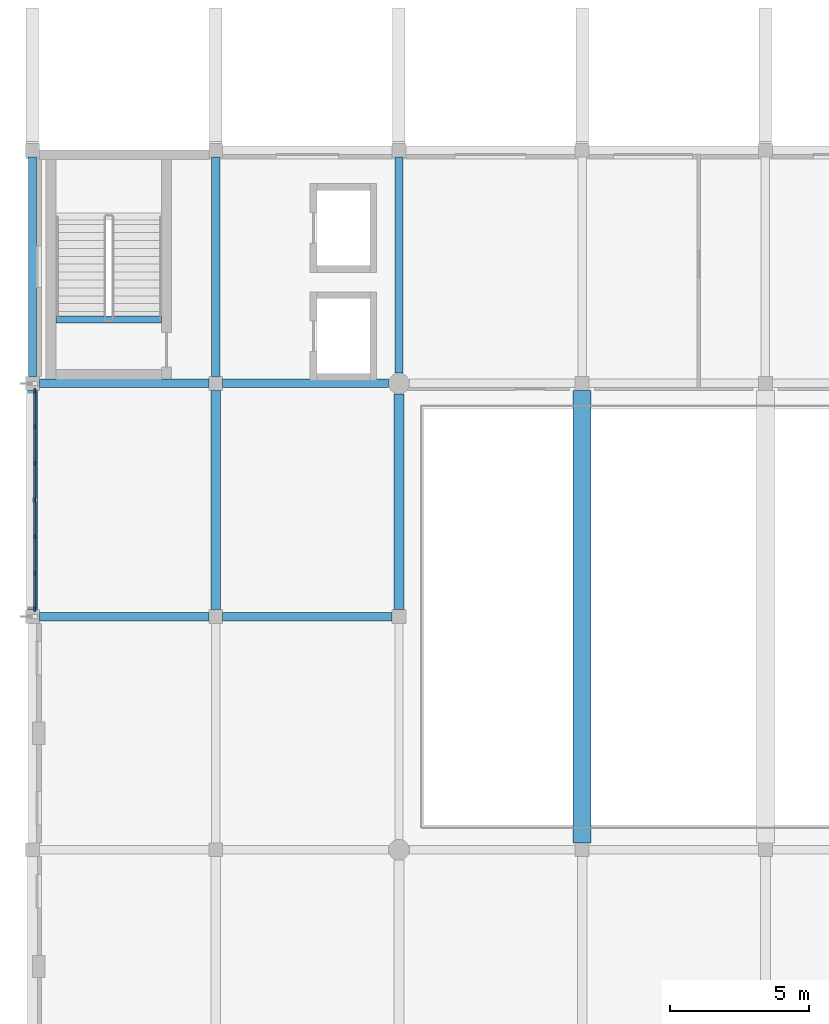
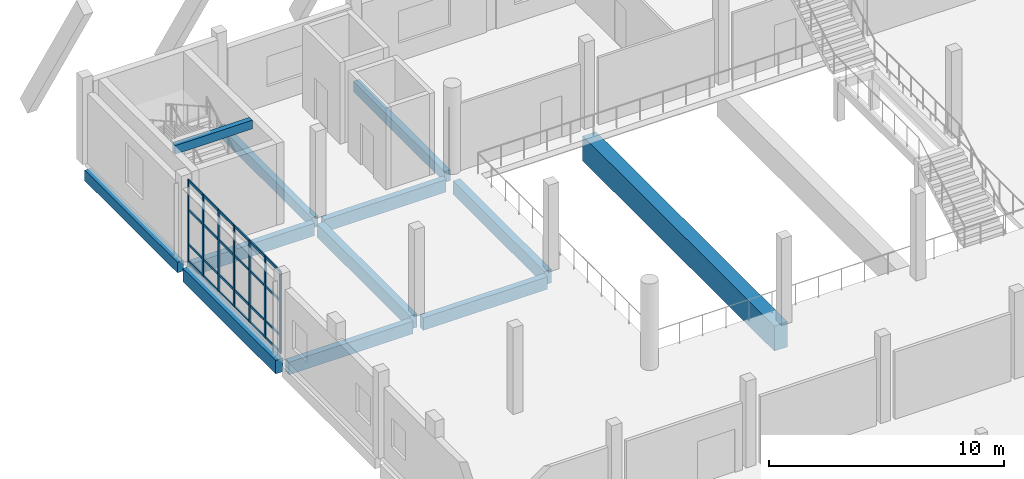
# One storey, part 5 of 76: 31 members, 12 beams, 1 element without a shape of its own.
"""IFC4 building model written with IfcOpenShell, lengths in metres."""

from ifc_helpers import new_model, si_unit, direction, frame, origin, origin_2d, place, context, subcontext, project, spatial, rectangle, extrude, material, material_profile, profile_set, type_object, element, aggregate, save


model = new_model("IFC4")

# Units and contexts
model_context = context("Model", 3, precision=1e-05, world=origin(), true_north=direction((0.0, 1.0)))
body_context = subcontext(model_context, "Body", "Model", "MODEL_VIEW")
ifc_project = project(units=[si_unit("LENGTHUNIT", "METRE"), si_unit("AREAUNIT", "SQUARE_METRE"), si_unit("VOLUMEUNIT", "CUBIC_METRE"), si_unit("PLANEANGLEUNIT", "RADIAN"), si_unit("MASSUNIT", "GRAM", prefix="KILO")], contexts=[model_context])

# Site, building, storey
site_placement = place(None, origin())
site = spatial("IfcSite", under=ifc_project, at=site_placement, CompositionType="ELEMENT")
building_placement = place(site_placement, origin())
building = spatial("IfcBuilding", under=site, at=building_placement, Name="Qaldarim Faculty of Natural and Applied Sciences", CompositionType="ELEMENT")
storey_placement = place(building_placement, frame((0.0, 0.0, 9.89990234375)))
storey = spatial("IfcBuildingStorey", under=building, at=storey_placement, Name="L02", CompositionType="ELEMENT", Elevation=9.89990234375)

# Beams
ifc_material_1 = material(Name="Concrete C40/50", Category="concrete")
ifc_material_profile_1 = material_profile(ifc_material_1, rectangle(XDim=0.300048828125, YDim=0.550048828125, at=origin_2d()), Name="RC-B300x550")
ifc_profile_set_1 = profile_set([ifc_material_profile_1], Name="Concrete C40/50")
beam_type_1 = type_object("IfcBeamType", Name="FloorBeam-RC300x550", PredefinedType="BEAM", material=ifc_profile_set_1)
for number, where, z_axis, x_axis, name in (
    (1, (0.0, 75.85009765625, -0.574951171875), (0.0, 1.0, 0.0), (-1.0, 0.0, 0.0), "Beam RC-B300x550 L01 X01/Y10-Y11"),
    (2, (6.60009765625, 75.85009765625, -0.574951171875), (0.0, 1.0, 0.0), (-1.0, 0.0, 0.0), "Beam RC-B300x550 L01 X02/Y10-Y11"),
):
    element("IfcBeam", number, at=place(storey_placement, frame(where, z_axis=z_axis, x_axis=x_axis)), inside=storey, type_object=beam_type_1, Name=name, PredefinedType="BEAM", context=body_context, shape_type="SweptSolid", body=[
        extrude(rectangle(XDim=0.300048828125, YDim=0.550048828125, at=origin_2d()), origin(), (0.0, 0.0, 1.0), 7.89990234375),
    ])
beam_1_placement = place(storey_placement, frame((13.199951171875, 75.97509765625, -0.574951171875), z_axis=(0.0, 1.0, 0.0), x_axis=(-1.0, 0.0, 0.0)))
element("IfcBeam", 3, at=beam_1_placement, inside=storey, type_object=beam_type_1, Name="Beam RC-B300x550 L01 X03/Y10-Y11", PredefinedType="BEAM", context=body_context, shape_type="SweptSolid", body=[
    extrude(rectangle(XDim=0.300048828125, YDim=0.550048828125, at=origin_2d()), origin(), (0.0, 0.0, 1.0), 7.77490234375),
])
ifc_material_profile_2 = material_profile(ifc_material_1, rectangle(XDim=0.25, YDim=0.449951171875, at=origin_2d()), Name="RC-LN250x450")
ifc_profile_set_2 = profile_set([ifc_material_profile_2], Name="Concrete C40/50")
beam_type_2 = type_object("IfcBeamType", Name="LandingSupportBeam-RC250x450", PredefinedType="BEAM", material=ifc_profile_set_2)
beam_2_placement = place(storey_placement, frame((0.85009765625, 77.89990234375, 4.01513671875), z_axis=(1.0, 0.0, 0.0), x_axis=(0.0, 1.0, 0.0)))
element("IfcBeam", 4, at=beam_2_placement, inside=storey, type_object=beam_type_2, Name="Stair arrival support beam ST-D2 L02", PredefinedType="BEAM", context=body_context, shape_type="SweptSolid", body=[
    extrude(rectangle(XDim=0.25, YDim=0.449951171875, at=origin_2d()), origin(), (0.0, 0.0, 1.0), 3.7998046875),
])

# Curtain wall, members
ifc_material_2 = material(Name="Anodised aluminium AW-6063", Category="aluminium")
curtain_wall_type = type_object("IfcCurtainWallType", Name="CurtainWallSystem-M1300", PredefinedType="USERDEFINED", material=ifc_material_2)
curtain_wall_placement = place(storey_placement, origin())
curtain_wall = element("IfcCurtainWall", 5, at=curtain_wall_placement, inside=storey, type_object=curtain_wall_type, Name="Curtain wall CW-L02-W-X01Y09", ObjectType="STICK CURTAIN WALL", PredefinedType="USERDEFINED")
ifc_material_profile_3 = material_profile(ifc_material_2, rectangle(XDim=0.06005859375, YDim=0.14990234375, at=origin_2d()), Name="ALU-M60x150")
ifc_profile_set_3 = profile_set([ifc_material_profile_3], Name="Anodised aluminium AW-6063")
member_type_1 = type_object("IfcMemberType", Name="Mullion-ALU60x150", PredefinedType="MULLION", material=ifc_profile_set_3)
member_1_placement = place(storey_placement, frame((0.080078125, 75.324951171875, 0.0), z_axis=(0.0, 0.0, 1.0), x_axis=(1.0, 0.0, 0.0)))
member_1 = element("IfcMember", 6, at=member_1_placement, type_object=member_type_1, Name="Mullion 1 of CW-L02-W-X01Y09", PredefinedType="MULLION", context=body_context, shape_type="SweptSolid", body=[
    extrude(rectangle(XDim=0.06005859375, YDim=0.14990234375, at=origin_2d()), origin(), (0.0, 0.0, 1.0), 4.239990234375),
])
member_2_placement = place(storey_placement, frame((0.080078125, 74.03662109375, 0.0), z_axis=(0.0, 0.0, 1.0), x_axis=(1.0, 0.0, 0.0)))
member_2 = element("IfcMember", 7, at=member_2_placement, type_object=member_type_1, Name="Mullion 2 of CW-L02-W-X01Y09", PredefinedType="MULLION", context=body_context, shape_type="SweptSolid", body=[
    extrude(rectangle(XDim=0.06005859375, YDim=0.14990234375, at=origin_2d()), origin(), (0.0, 0.0, 1.0), 4.239990234375),
])
member_3_placement = place(storey_placement, frame((0.080078125, 72.71826171875, 0.0), z_axis=(0.0, 0.0, 1.0), x_axis=(1.0, 0.0, 0.0)))
member_3 = element("IfcMember", 8, at=member_3_placement, type_object=member_type_1, Name="Mullion 3 of CW-L02-W-X01Y09", PredefinedType="MULLION", context=body_context, shape_type="SweptSolid", body=[
    extrude(rectangle(XDim=0.06005859375, YDim=0.14990234375, at=origin_2d()), origin(), (0.0, 0.0, 1.0), 4.239990234375),
])
member_4_placement = place(storey_placement, frame((0.080078125, 71.39990234375, 0.0), z_axis=(0.0, 0.0, 1.0), x_axis=(1.0, 0.0, 0.0)))
member_4 = element("IfcMember", 9, at=member_4_placement, type_object=member_type_1, Name="Mullion 4 of CW-L02-W-X01Y09", PredefinedType="MULLION", context=body_context, shape_type="SweptSolid", body=[
    extrude(rectangle(XDim=0.06005859375, YDim=0.14990234375, at=origin_2d()), origin(), (0.0, 0.0, 1.0), 4.239990234375),
])
member_5_placement = place(storey_placement, frame((0.080078125, 70.081787109375, 0.0), z_axis=(0.0, 0.0, 1.0), x_axis=(1.0, 0.0, 0.0)))
member_5 = element("IfcMember", 10, at=member_5_placement, type_object=member_type_1, Name="Mullion 5 of CW-L02-W-X01Y09", PredefinedType="MULLION", context=body_context, shape_type="SweptSolid", body=[
    extrude(rectangle(XDim=0.06005859375, YDim=0.14990234375, at=origin_2d()), origin(), (0.0, 0.0, 1.0), 4.239990234375),
])
member_6_placement = place(storey_placement, frame((0.080078125, 68.76318359375, 0.0), z_axis=(0.0, 0.0, 1.0), x_axis=(1.0, 0.0, 0.0)))
member_6 = element("IfcMember", 11, at=member_6_placement, type_object=member_type_1, Name="Mullion 6 of CW-L02-W-X01Y09", PredefinedType="MULLION", context=body_context, shape_type="SweptSolid", body=[
    extrude(rectangle(XDim=0.06005859375, YDim=0.14990234375, at=origin_2d()), origin(), (0.0, 0.0, 1.0), 4.239990234375),
])
member_7_placement = place(storey_placement, frame((0.080078125, 67.47509765625, 0.0), z_axis=(0.0, 0.0, 1.0), x_axis=(1.0, 0.0, 0.0)))
member_7 = element("IfcMember", 12, at=member_7_placement, type_object=member_type_1, Name="Mullion 7 of CW-L02-W-X01Y09", PredefinedType="MULLION", context=body_context, shape_type="SweptSolid", body=[
    extrude(rectangle(XDim=0.06005859375, YDim=0.14990234375, at=origin_2d()), origin(), (0.0, 0.0, 1.0), 4.239990234375),
])

# Beams
ifc_material_profile_4 = material_profile(ifc_material_1, rectangle(XDim=0.300048828125, YDim=0.64990234375, at=origin_2d()), Name="RC-B300x650")
ifc_profile_set_4 = profile_set([ifc_material_profile_4], Name="Concrete C40/50")
beam_type_3 = type_object("IfcBeamType", Name="PrimaryBeam-RC300x650", PredefinedType="BEAM", material=ifc_profile_set_4)
beam_3_placement = place(storey_placement, frame((0.25, 67.199951171875, -0.625), z_axis=(1.0, 0.0, 0.0), x_axis=(0.0, 1.0, 0.0)))
element("IfcBeam", 13, at=beam_3_placement, inside=storey, type_object=beam_type_3, Name="Beam RC-B300x650 L01 X01-X02/Y09", PredefinedType="BEAM", context=body_context, shape_type="SweptSolid", body=[
    extrude(rectangle(XDim=0.300048828125, YDim=0.64990234375, at=origin_2d()), origin(), (0.0, 0.0, 1.0), 6.10009765625),
])
beam_4_placement = place(storey_placement, frame((6.85009765625, 67.199951171875, -0.625), z_axis=(1.0, 0.0, 0.0), x_axis=(0.0, 1.0, 0.0)))
element("IfcBeam", 14, at=beam_4_placement, inside=storey, type_object=beam_type_3, Name="Beam RC-B300x650 L01 X02-X03/Y09", PredefinedType="BEAM", context=body_context, shape_type="SweptSolid", body=[
    extrude(rectangle(XDim=0.300048828125, YDim=0.64990234375, at=origin_2d()), origin(), (0.0, 0.0, 1.0), 6.099853515625),
])
beam_5_placement = place(storey_placement, frame((0.25, 75.60009765625, -0.625), z_axis=(1.0, 0.0, 0.0), x_axis=(0.0, 1.0, 0.0)))
element("IfcBeam", 15, at=beam_5_placement, inside=storey, type_object=beam_type_3, Name="Beam RC-B300x650 L01 X01-X02/Y10", PredefinedType="BEAM", context=body_context, shape_type="SweptSolid", body=[
    extrude(rectangle(XDim=0.300048828125, YDim=0.64990234375, at=origin_2d()), origin(), (0.0, 0.0, 1.0), 6.10009765625),
])
beam_6_placement = place(storey_placement, frame((6.85009765625, 75.60009765625, -0.625), z_axis=(1.0, 0.0, 0.0), x_axis=(0.0, 1.0, 0.0)))
element("IfcBeam", 16, at=beam_6_placement, inside=storey, type_object=beam_type_3, Name="Beam RC-B300x650 L01 X02-X03/Y10", PredefinedType="BEAM", context=body_context, shape_type="SweptSolid", body=[
    extrude(rectangle(XDim=0.300048828125, YDim=0.64990234375, at=origin_2d()), origin(), (0.0, 0.0, 1.0), 5.974853515625),
])
ifc_material_profile_5 = material_profile(ifc_material_1, rectangle(XDim=0.35009765625, YDim=0.699951171875, at=origin_2d()), Name="RC-B350x700")
ifc_profile_set_5 = profile_set([ifc_material_profile_5], Name="Concrete C40/50")
beam_type_4 = type_object("IfcBeamType", Name="PrimaryGirder-RC350x700", PredefinedType="BEAM", material=ifc_profile_set_5)
for number, where, z_axis, x_axis, name in (
    (17, (0.0, 67.449951171875, -0.64990234375), (0.0, 1.0, 0.0), (-1.0, 0.0, 0.0), "Beam RC-B350x700 L01 X01/Y09-Y10"),
    (18, (6.60009765625, 67.449951171875, -0.64990234375), (0.0, 1.0, 0.0), (-1.0, 0.0, 0.0), "Beam RC-B350x700 L01 X02/Y09-Y10"),
):
    element("IfcBeam", number, at=place(storey_placement, frame(where, z_axis=z_axis, x_axis=x_axis)), inside=storey, type_object=beam_type_4, Name=name, PredefinedType="BEAM", context=body_context, shape_type="SweptSolid", body=[
        extrude(rectangle(XDim=0.35009765625, YDim=0.699951171875, at=origin_2d()), origin(), (0.0, 0.0, 1.0), 7.900146484375),
    ])
beam_7_placement = place(storey_placement, frame((13.199951171875, 67.449951171875, -0.64990234375), z_axis=(0.0, 1.0, 0.0), x_axis=(-1.0, 0.0, 0.0)))
element("IfcBeam", 19, at=beam_7_placement, inside=storey, type_object=beam_type_4, Name="Beam RC-B350x700 L01 X03/Y09-Y10", PredefinedType="BEAM", context=body_context, shape_type="SweptSolid", body=[
    extrude(rectangle(XDim=0.35009765625, YDim=0.699951171875, at=origin_2d()), origin(), (0.0, 0.0, 1.0), 7.775146484375),
])
ifc_material_3 = material(Name="Concrete C50/60", Category="concrete")
ifc_material_profile_6 = material_profile(ifc_material_3, rectangle(XDim=0.64990234375, YDim=1.300048828125, at=origin_2d()), Name="RC-TG650x1300")
ifc_profile_set_6 = profile_set([ifc_material_profile_6], Name="Concrete C50/60")
beam_type_5 = type_object("IfcBeamType", Name="TransferGirder-RC650x1300", PredefinedType="BEAM", material=ifc_profile_set_6)
beam_8_placement = place(storey_placement, frame((19.800048828125, 59.050048828125, -0.949951171875), z_axis=(0.0, 1.0, 0.0), x_axis=(-1.0, 0.0, 0.0)))
element("IfcBeam", 20, at=beam_8_placement, inside=storey, type_object=beam_type_5, Name="Long-span girder L01 X04 Y08-Y10", PredefinedType="BEAM", context=body_context, shape_type="SweptSolid", body=[
    extrude(rectangle(XDim=0.64990234375, YDim=1.300048828125, at=origin_2d()), origin(), (0.0, 0.0, 1.0), 16.300048828125),
])

# Member
ifc_material_profile_7 = material_profile(ifc_material_2, rectangle(XDim=0.06005859375, YDim=0.1201171875, at=origin_2d()), Name="ALU-T60x120")
ifc_profile_set_7 = profile_set([ifc_material_profile_7], Name="Anodised aluminium AW-6063")
member_type_2 = type_object("IfcMemberType", Name="Transom-ALU60x120", PredefinedType="USERDEFINED", material=ifc_profile_set_7)
member_8_placement = place(storey_placement, frame((0.080078125, 75.294921875, 0.030029296875), z_axis=(0.0, -1.0, 0.0), x_axis=(1.0, 0.0, 0.0)))
member_8 = element("IfcMember", 21, at=member_8_placement, type_object=member_type_2, Name="Transom 1-1 of CW-L02-W-X01Y09", ObjectType="TRANSOM", PredefinedType="USERDEFINED", context=body_context, shape_type="SweptSolid", body=[
    extrude(rectangle(XDim=0.06005859375, YDim=0.1201171875, at=origin_2d()), origin(), (0.0, 0.0, 1.0), 1.228271484375),
])

member_9_placement = place(storey_placement, frame((0.080078125, 75.294921875, 0.900146484375), z_axis=(0.0, -1.0, 0.0), x_axis=(1.0, 0.0, 0.0)))
member_9 = element("IfcMember", 22, at=member_9_placement, type_object=member_type_2, Name="Transom 1-2 of CW-L02-W-X01Y09", ObjectType="TRANSOM", PredefinedType="USERDEFINED", context=body_context, shape_type="SweptSolid", body=[
    extrude(rectangle(XDim=0.06005859375, YDim=0.1201171875, at=origin_2d()), origin(), (0.0, 0.0, 1.0), 1.228271484375),
])

member_10_placement = place(storey_placement, frame((0.080078125, 75.294921875, 2.7001953125), z_axis=(0.0, -1.0, 0.0), x_axis=(1.0, 0.0, 0.0)))
member_10 = element("IfcMember", 23, at=member_10_placement, type_object=member_type_2, Name="Transom 1-3 of CW-L02-W-X01Y09", ObjectType="TRANSOM", PredefinedType="USERDEFINED", context=body_context, shape_type="SweptSolid", body=[
    extrude(rectangle(XDim=0.06005859375, YDim=0.1201171875, at=origin_2d()), origin(), (0.0, 0.0, 1.0), 1.228271484375),
])

member_11_placement = place(storey_placement, frame((0.080078125, 75.294921875, 4.210205078125), z_axis=(0.0, -1.0, 0.0), x_axis=(1.0, 0.0, 0.0)))
member_11 = element("IfcMember", 24, at=member_11_placement, type_object=member_type_2, Name="Transom 1-4 of CW-L02-W-X01Y09", ObjectType="TRANSOM", PredefinedType="USERDEFINED", context=body_context, shape_type="SweptSolid", body=[
    extrude(rectangle(XDim=0.06005859375, YDim=0.1201171875, at=origin_2d()), origin(), (0.0, 0.0, 1.0), 1.228271484375),
])

member_12_placement = place(storey_placement, frame((0.080078125, 74.006591796875, 0.030029296875), z_axis=(0.0, -1.0, 0.0), x_axis=(1.0, 0.0, 0.0)))
member_12 = element("IfcMember", 25, at=member_12_placement, type_object=member_type_2, Name="Transom 2-1 of CW-L02-W-X01Y09", ObjectType="TRANSOM", PredefinedType="USERDEFINED", context=body_context, shape_type="SweptSolid", body=[
    extrude(rectangle(XDim=0.06005859375, YDim=0.1201171875, at=origin_2d()), origin(), (0.0, 0.0, 1.0), 1.25830078125),
])

member_13_placement = place(storey_placement, frame((0.080078125, 74.006591796875, 0.900146484375), z_axis=(0.0, -1.0, 0.0), x_axis=(1.0, 0.0, 0.0)))
member_13 = element("IfcMember", 26, at=member_13_placement, type_object=member_type_2, Name="Transom 2-2 of CW-L02-W-X01Y09", ObjectType="TRANSOM", PredefinedType="USERDEFINED", context=body_context, shape_type="SweptSolid", body=[
    extrude(rectangle(XDim=0.06005859375, YDim=0.1201171875, at=origin_2d()), origin(), (0.0, 0.0, 1.0), 1.25830078125),
])

member_14_placement = place(storey_placement, frame((0.080078125, 74.006591796875, 2.7001953125), z_axis=(0.0, -1.0, 0.0), x_axis=(1.0, 0.0, 0.0)))
member_14 = element("IfcMember", 27, at=member_14_placement, type_object=member_type_2, Name="Transom 2-3 of CW-L02-W-X01Y09", ObjectType="TRANSOM", PredefinedType="USERDEFINED", context=body_context, shape_type="SweptSolid", body=[
    extrude(rectangle(XDim=0.06005859375, YDim=0.1201171875, at=origin_2d()), origin(), (0.0, 0.0, 1.0), 1.25830078125),
])

member_15_placement = place(storey_placement, frame((0.080078125, 74.006591796875, 4.210205078125), z_axis=(0.0, -1.0, 0.0), x_axis=(1.0, 0.0, 0.0)))
member_15 = element("IfcMember", 28, at=member_15_placement, type_object=member_type_2, Name="Transom 2-4 of CW-L02-W-X01Y09", ObjectType="TRANSOM", PredefinedType="USERDEFINED", context=body_context, shape_type="SweptSolid", body=[
    extrude(rectangle(XDim=0.06005859375, YDim=0.1201171875, at=origin_2d()), origin(), (0.0, 0.0, 1.0), 1.25830078125),
])

member_16_placement = place(storey_placement, frame((0.080078125, 72.688232421875, 0.030029296875), z_axis=(0.0, -1.0, 0.0), x_axis=(1.0, 0.0, 0.0)))
member_16 = element("IfcMember", 29, at=member_16_placement, type_object=member_type_2, Name="Transom 3-1 of CW-L02-W-X01Y09", ObjectType="TRANSOM", PredefinedType="USERDEFINED", context=body_context, shape_type="SweptSolid", body=[
    extrude(rectangle(XDim=0.06005859375, YDim=0.1201171875, at=origin_2d()), origin(), (0.0, 0.0, 1.0), 1.25830078125),
])

member_17_placement = place(storey_placement, frame((0.080078125, 72.688232421875, 0.900146484375), z_axis=(0.0, -1.0, 0.0), x_axis=(1.0, 0.0, 0.0)))
member_17 = element("IfcMember", 30, at=member_17_placement, type_object=member_type_2, Name="Transom 3-2 of CW-L02-W-X01Y09", ObjectType="TRANSOM", PredefinedType="USERDEFINED", context=body_context, shape_type="SweptSolid", body=[
    extrude(rectangle(XDim=0.06005859375, YDim=0.1201171875, at=origin_2d()), origin(), (0.0, 0.0, 1.0), 1.25830078125),
])

member_18_placement = place(storey_placement, frame((0.080078125, 72.688232421875, 2.7001953125), z_axis=(0.0, -1.0, 0.0), x_axis=(1.0, 0.0, 0.0)))
member_18 = element("IfcMember", 31, at=member_18_placement, type_object=member_type_2, Name="Transom 3-3 of CW-L02-W-X01Y09", ObjectType="TRANSOM", PredefinedType="USERDEFINED", context=body_context, shape_type="SweptSolid", body=[
    extrude(rectangle(XDim=0.06005859375, YDim=0.1201171875, at=origin_2d()), origin(), (0.0, 0.0, 1.0), 1.25830078125),
])

member_19_placement = place(storey_placement, frame((0.080078125, 72.688232421875, 4.210205078125), z_axis=(0.0, -1.0, 0.0), x_axis=(1.0, 0.0, 0.0)))
member_19 = element("IfcMember", 32, at=member_19_placement, type_object=member_type_2, Name="Transom 3-4 of CW-L02-W-X01Y09", ObjectType="TRANSOM", PredefinedType="USERDEFINED", context=body_context, shape_type="SweptSolid", body=[
    extrude(rectangle(XDim=0.06005859375, YDim=0.1201171875, at=origin_2d()), origin(), (0.0, 0.0, 1.0), 1.25830078125),
])

member_20_placement = place(storey_placement, frame((0.080078125, 71.3701171875, 0.030029296875), z_axis=(0.0, -1.0, 0.0), x_axis=(1.0, 0.0, 0.0)))
member_20 = element("IfcMember", 33, at=member_20_placement, type_object=member_type_2, Name="Transom 4-1 of CW-L02-W-X01Y09", ObjectType="TRANSOM", PredefinedType="USERDEFINED", context=body_context, shape_type="SweptSolid", body=[
    extrude(rectangle(XDim=0.06005859375, YDim=0.1201171875, at=origin_2d()), origin(), (0.0, 0.0, 1.0), 1.25830078125),
])

member_21_placement = place(storey_placement, frame((0.080078125, 71.3701171875, 0.900146484375), z_axis=(0.0, -1.0, 0.0), x_axis=(1.0, 0.0, 0.0)))
member_21 = element("IfcMember", 34, at=member_21_placement, type_object=member_type_2, Name="Transom 4-2 of CW-L02-W-X01Y09", ObjectType="TRANSOM", PredefinedType="USERDEFINED", context=body_context, shape_type="SweptSolid", body=[
    extrude(rectangle(XDim=0.06005859375, YDim=0.1201171875, at=origin_2d()), origin(), (0.0, 0.0, 1.0), 1.25830078125),
])

member_22_placement = place(storey_placement, frame((0.080078125, 71.3701171875, 2.7001953125), z_axis=(0.0, -1.0, 0.0), x_axis=(1.0, 0.0, 0.0)))
member_22 = element("IfcMember", 35, at=member_22_placement, type_object=member_type_2, Name="Transom 4-3 of CW-L02-W-X01Y09", ObjectType="TRANSOM", PredefinedType="USERDEFINED", context=body_context, shape_type="SweptSolid", body=[
    extrude(rectangle(XDim=0.06005859375, YDim=0.1201171875, at=origin_2d()), origin(), (0.0, 0.0, 1.0), 1.25830078125),
])

member_23_placement = place(storey_placement, frame((0.080078125, 71.3701171875, 4.210205078125), z_axis=(0.0, -1.0, 0.0), x_axis=(1.0, 0.0, 0.0)))
member_23 = element("IfcMember", 36, at=member_23_placement, type_object=member_type_2, Name="Transom 4-4 of CW-L02-W-X01Y09", ObjectType="TRANSOM", PredefinedType="USERDEFINED", context=body_context, shape_type="SweptSolid", body=[
    extrude(rectangle(XDim=0.06005859375, YDim=0.1201171875, at=origin_2d()), origin(), (0.0, 0.0, 1.0), 1.25830078125),
])

member_24_placement = place(storey_placement, frame((0.080078125, 70.0517578125, 0.030029296875), z_axis=(0.0, -1.0, 0.0), x_axis=(1.0, 0.0, 0.0)))
member_24 = element("IfcMember", 37, at=member_24_placement, type_object=member_type_2, Name="Transom 5-1 of CW-L02-W-X01Y09", ObjectType="TRANSOM", PredefinedType="USERDEFINED", context=body_context, shape_type="SweptSolid", body=[
    extrude(rectangle(XDim=0.06005859375, YDim=0.1201171875, at=origin_2d()), origin(), (0.0, 0.0, 1.0), 1.258544921875),
])

member_25_placement = place(storey_placement, frame((0.080078125, 70.0517578125, 0.900146484375), z_axis=(0.0, -1.0, 0.0), x_axis=(1.0, 0.0, 0.0)))
member_25 = element("IfcMember", 38, at=member_25_placement, type_object=member_type_2, Name="Transom 5-2 of CW-L02-W-X01Y09", ObjectType="TRANSOM", PredefinedType="USERDEFINED", context=body_context, shape_type="SweptSolid", body=[
    extrude(rectangle(XDim=0.06005859375, YDim=0.1201171875, at=origin_2d()), origin(), (0.0, 0.0, 1.0), 1.258544921875),
])

member_26_placement = place(storey_placement, frame((0.080078125, 70.0517578125, 2.7001953125), z_axis=(0.0, -1.0, 0.0), x_axis=(1.0, 0.0, 0.0)))
member_26 = element("IfcMember", 39, at=member_26_placement, type_object=member_type_2, Name="Transom 5-3 of CW-L02-W-X01Y09", ObjectType="TRANSOM", PredefinedType="USERDEFINED", context=body_context, shape_type="SweptSolid", body=[
    extrude(rectangle(XDim=0.06005859375, YDim=0.1201171875, at=origin_2d()), origin(), (0.0, 0.0, 1.0), 1.258544921875),
])

member_27_placement = place(storey_placement, frame((0.080078125, 70.0517578125, 4.210205078125), z_axis=(0.0, -1.0, 0.0), x_axis=(1.0, 0.0, 0.0)))
member_27 = element("IfcMember", 40, at=member_27_placement, type_object=member_type_2, Name="Transom 5-4 of CW-L02-W-X01Y09", ObjectType="TRANSOM", PredefinedType="USERDEFINED", context=body_context, shape_type="SweptSolid", body=[
    extrude(rectangle(XDim=0.06005859375, YDim=0.1201171875, at=origin_2d()), origin(), (0.0, 0.0, 1.0), 1.258544921875),
])

member_28_placement = place(storey_placement, frame((0.080078125, 68.7333984375, 0.030029296875), z_axis=(0.0, -1.0, 0.0), x_axis=(1.0, 0.0, 0.0)))
member_28 = element("IfcMember", 41, at=member_28_placement, type_object=member_type_2, Name="Transom 6-1 of CW-L02-W-X01Y09", ObjectType="TRANSOM", PredefinedType="USERDEFINED", context=body_context, shape_type="SweptSolid", body=[
    extrude(rectangle(XDim=0.06005859375, YDim=0.1201171875, at=origin_2d()), origin(), (0.0, 0.0, 1.0), 1.228515625),
])

member_29_placement = place(storey_placement, frame((0.080078125, 68.7333984375, 0.900146484375), z_axis=(0.0, -1.0, 0.0), x_axis=(1.0, 0.0, 0.0)))
member_29 = element("IfcMember", 42, at=member_29_placement, type_object=member_type_2, Name="Transom 6-2 of CW-L02-W-X01Y09", ObjectType="TRANSOM", PredefinedType="USERDEFINED", context=body_context, shape_type="SweptSolid", body=[
    extrude(rectangle(XDim=0.06005859375, YDim=0.1201171875, at=origin_2d()), origin(), (0.0, 0.0, 1.0), 1.228515625),
])

member_30_placement = place(storey_placement, frame((0.080078125, 68.7333984375, 2.7001953125), z_axis=(0.0, -1.0, 0.0), x_axis=(1.0, 0.0, 0.0)))
member_30 = element("IfcMember", 43, at=member_30_placement, type_object=member_type_2, Name="Transom 6-3 of CW-L02-W-X01Y09", ObjectType="TRANSOM", PredefinedType="USERDEFINED", context=body_context, shape_type="SweptSolid", body=[
    extrude(rectangle(XDim=0.06005859375, YDim=0.1201171875, at=origin_2d()), origin(), (0.0, 0.0, 1.0), 1.228515625),
])

member_31_placement = place(storey_placement, frame((0.080078125, 68.7333984375, 4.210205078125), z_axis=(0.0, -1.0, 0.0), x_axis=(1.0, 0.0, 0.0)))
member_31 = element("IfcMember", 44, at=member_31_placement, type_object=member_type_2, Name="Transom 6-4 of CW-L02-W-X01Y09", ObjectType="TRANSOM", PredefinedType="USERDEFINED", context=body_context, shape_type="SweptSolid", body=[
    extrude(rectangle(XDim=0.06005859375, YDim=0.1201171875, at=origin_2d()), origin(), (0.0, 0.0, 1.0), 1.228515625),
])

aggregate(curtain_wall, [member_1, member_2, member_3, member_4, member_5, member_6, member_7, member_8, member_9, member_10, member_11, member_12, member_13, member_14, member_15, member_16, member_17, member_18, member_19, member_20, member_21, member_22, member_23, member_24, member_25, member_26, member_27, member_28, member_29, member_30, member_31])

save(model, "model.ifc")
